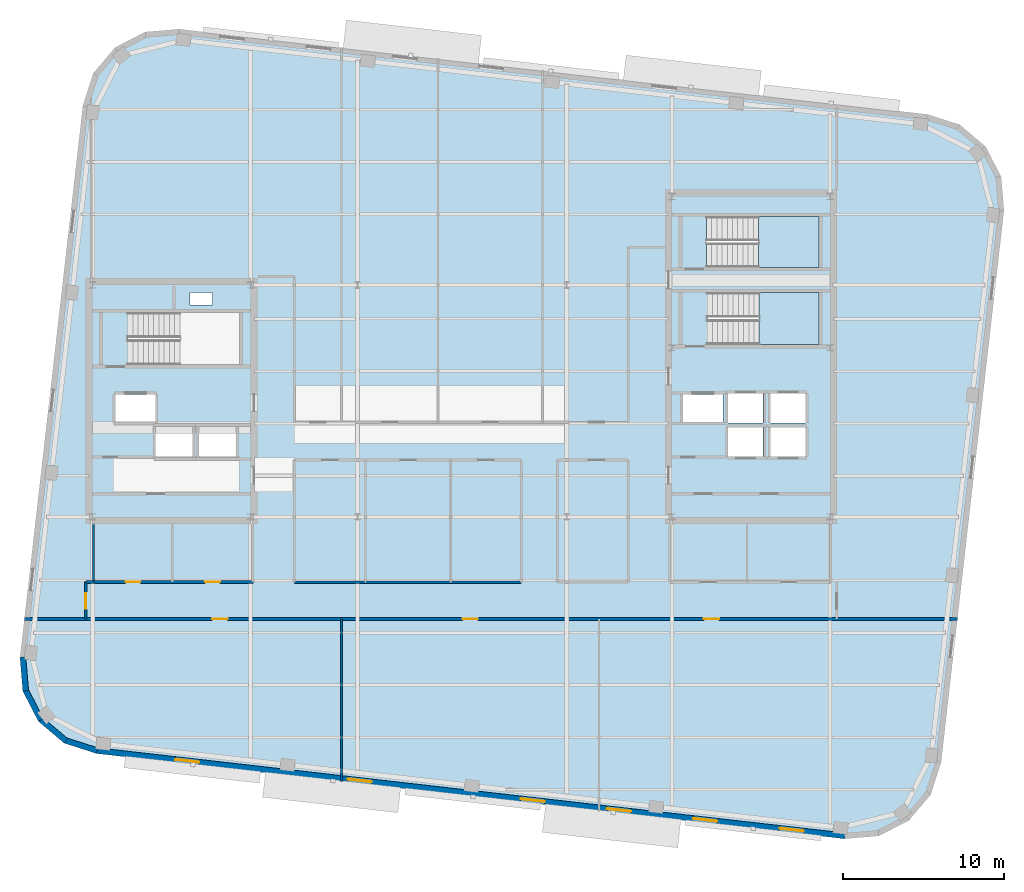
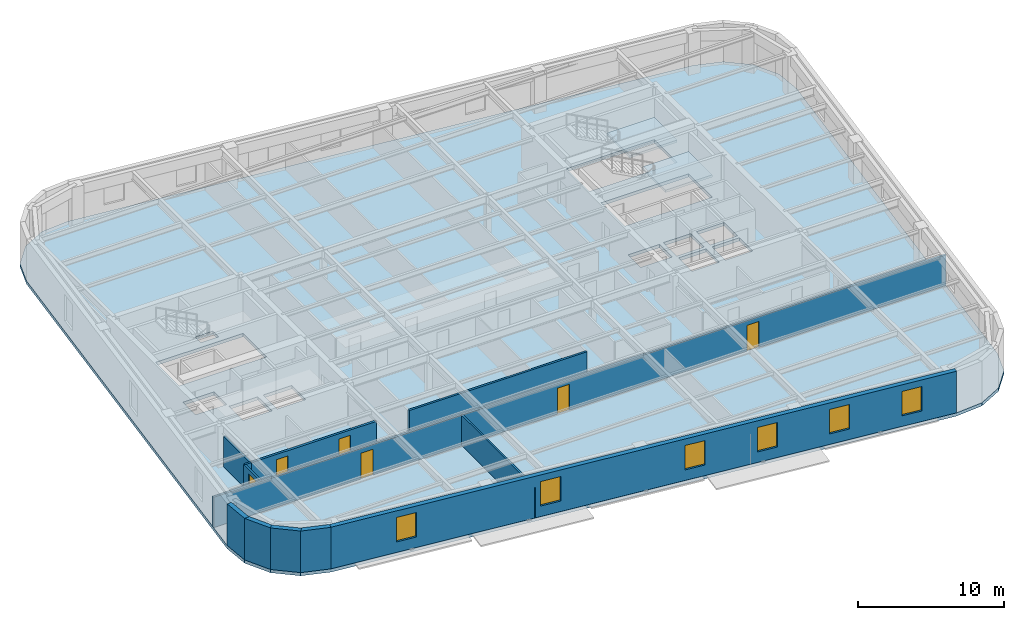
# One storey, part 5 of 13: 12 walls, 6 doors, 6 windows, 3 slabs, 12 openings, 2 elements without a shape of their own.
"""IFC4 building model written with IfcOpenShell, lengths in metres."""

from ifc_helpers import new_model, si_unit, direction, frame, frame_2d, origin, place, context, subcontext, project, spatial, polyline, rectangle, outline, extrude, material, layer, layer_set, type_object, element, fill, aggregate, save


model = new_model("IFC4")

# Units and contexts
model_context = context("Model", 3, precision=1e-05, world=origin(), true_north=direction((0.0, 1.0)))
body_context = subcontext(model_context, "Body", "Model", "MODEL_VIEW")
ifc_project = project(units=[si_unit("LENGTHUNIT", "METRE"), si_unit("AREAUNIT", "SQUARE_METRE"), si_unit("VOLUMEUNIT", "CUBIC_METRE"), si_unit("PLANEANGLEUNIT", "RADIAN"), si_unit("MASSUNIT", "GRAM", prefix="KILO")], contexts=[model_context])

# Site, building, storey
site_placement = place(None, origin())
site = spatial("IfcSite", under=ifc_project, at=site_placement, CompositionType="ELEMENT")
building_placement = place(site_placement, origin())
building = spatial("IfcBuilding", under=site, at=building_placement, Name="Kolvaren Arena Tower", CompositionType="ELEMENT")
storey_placement = place(building_placement, frame((0.0, 0.0, 243.449951171875)))
storey = spatial("IfcBuildingStorey", under=building, at=storey_placement, Name="L59", CompositionType="ELEMENT", Elevation=243.449951171875)

# Stair, slab
ifc_material_1 = material(Name="Concrete 45 MPa", Category="concrete")
stair_type_1 = type_object("IfcStairType", Name="STAIR-CORE-165", PredefinedType="HALF_TURN_STAIR", material=ifc_material_1)
stair_1_placement = place(storey_placement, origin())
stair_1 = element("IfcStair", 1, at=stair_1_placement, inside=storey, type_object=stair_type_1, Name="L59 ST-E1", PredefinedType="HALF_TURN_STAIR")
ifc_layer_1 = layer(ifc_material_1, 0.199951171875)
ifc_layer_set_1 = layer_set([ifc_layer_1], Name="Concrete 45 MPa")
slab_type_1 = type_object("IfcSlabType", Name="SLAB-LAND", PredefinedType="LANDING", material=ifc_layer_set_1)
slab_1_placement = place(storey_placement, frame((0.0, 0.0, 1.675048828125)))
slab_1 = element("IfcSlab", 2, at=slab_1_placement, type_object=slab_type_1, Name="ST-E1 landing 1", PredefinedType="LANDING", context=body_context, shape_type="SweptSolid", body=[
    extrude(outline(polyline([(55.9599609375, 30.14990234375), (59.659912109375, 30.14990234375), (59.659912109375, 33.3798828125), (55.9599609375, 33.3798828125), (55.9599609375, 30.14990234375)])), origin(), (0.0, 0.0, 1.0), 0.199951171875),
])
aggregate(stair_1, [slab_1])

stair_type_2 = type_object("IfcStairType", Name="STAIR-CORE-150", PredefinedType="HALF_TURN_STAIR", material=ifc_material_1)
stair_2_placement = place(storey_placement, origin())
stair_2 = element("IfcStair", 3, at=stair_2_placement, inside=storey, type_object=stair_type_2, Name="L59 ST-E2", PredefinedType="HALF_TURN_STAIR")
slab_2_placement = place(storey_placement, frame((0.0, 0.0, 1.675048828125)))
slab_2 = element("IfcSlab", 4, at=slab_2_placement, type_object=slab_type_1, Name="ST-E2 landing 1", PredefinedType="LANDING", context=body_context, shape_type="SweptSolid", body=[
    extrude(outline(polyline([(55.919921875, 34.949951171875), (59.659912109375, 34.949951171875), (59.659912109375, 38.10009765625), (55.919921875, 38.10009765625), (55.919921875, 34.949951171875)])), origin(), (0.0, 0.0, 1.0), 0.199951171875),
])
aggregate(stair_2, [slab_2])

# Slab
ifc_layer_2 = layer(ifc_material_1, 0.27001953125)
ifc_layer_set_2 = layer_set([ifc_layer_2], Name="Concrete 45 MPa")
slab_type_2 = type_object("IfcSlabType", Name="SLAB-OFF2", PredefinedType="FLOOR", material=ifc_layer_set_2)
slab_3_placement = place(storey_placement, frame((0.0, 0.0, -0.27001953125)))
element("IfcSlab", 5, at=slab_3_placement, inside=storey, type_object=slab_type_2, Name="L59 Primary Structural Slab", PredefinedType="FLOOR", context=body_context, shape_type="SweptSolid", body=[
    extrude(outline(polyline([(61.285400390625, -0.553466796875), (63.38525390625, -0.37890625), (65.25830078125, 0.585693359375), (66.619873046875, 2.194091796875), (67.26220703125, 4.20068359375), (71.16748046875, 38.47900390625), (70.9931640625, 40.57861328125), (70.0283203125, 42.45166015625), (68.42041015625, 43.81298828125), (66.41357421875, 44.455322265625), (19.91455078125, 49.75341796875), (17.814697265625, 49.578857421875), (15.941650390625, 48.6142578125), (14.580078125, 47.006103515625), (13.93798828125, 44.99951171875), (10.032470703125, 10.72119140625), (10.206787109375, 8.621337890625), (11.171630859375, 6.748291015625), (12.77978515625, 5.386962890625), (14.786376953125, 4.74462890625), (61.285400390625, -0.553466796875)]), holes=[polyline([(20.739990234375, 23.135009765625), (18.4599609375, 23.135009765625), (18.4599609375, 25.06494140625), (20.739990234375, 25.06494140625), (20.739990234375, 23.135009765625)]), polyline([(21.159912109375, 23.135009765625), (21.159912109375, 25.06494140625), (23.43994140625, 25.06494140625), (23.43994140625, 23.135009765625), (21.159912109375, 23.135009765625)]), polyline([(56.2099609375, 23.18505859375), (54.030029296875, 23.18505859375), (54.030029296875, 25.014892578125), (56.2099609375, 25.014892578125), (56.2099609375, 23.18505859375)]), polyline([(56.669921875, 23.18505859375), (56.669921875, 25.014892578125), (58.85009765625, 25.014892578125), (58.85009765625, 23.18505859375), (56.669921875, 23.18505859375)]), polyline([(54.030029296875, 25.284912109375), (54.030029296875, 27.114990234375), (56.2099609375, 27.114990234375), (56.2099609375, 25.284912109375), (54.030029296875, 25.284912109375)]), polyline([(58.85009765625, 25.284912109375), (56.669921875, 25.284912109375), (56.669921875, 27.114990234375), (58.85009765625, 27.114990234375), (58.85009765625, 25.284912109375)]), polyline([(15.9599609375, 25.3349609375), (15.9599609375, 27.06494140625), (18.43994140625, 27.06494140625), (18.43994140625, 25.3349609375), (15.9599609375, 25.3349609375)]), polyline([(53.699951171875, 25.3349609375), (51.219970703125, 25.3349609375), (51.219970703125, 27.06494140625), (53.699951171875, 27.06494140625), (53.699951171875, 25.3349609375)]), polyline([(16.735107421875, 28.89990234375), (16.735107421875, 32.1298828125), (23.659912109375, 32.1298828125), (23.659912109375, 28.89990234375), (16.735107421875, 28.89990234375)]), polyline([(52.735107421875, 30.14990234375), (52.735107421875, 33.3798828125), (59.659912109375, 33.3798828125), (59.659912109375, 30.14990234375), (52.735107421875, 30.14990234375)]), polyline([(20.60009765625, 32.6201171875), (20.60009765625, 33.39990234375), (22.0, 33.39990234375), (22.0, 32.6201171875), (20.60009765625, 32.6201171875)]), polyline([(52.695068359375, 34.949951171875), (52.695068359375, 38.10009765625), (59.659912109375, 38.10009765625), (59.659912109375, 34.949951171875), (52.695068359375, 34.949951171875)])]), origin(), (0.0, 0.0, 1.0), 0.27001953125),
])

# Wall, openings, doors
ifc_material_2 = material(Name="Gypsum board acoustic assembly", Category="gypsum")
ifc_layer_3 = layer(ifc_material_2, 0.159912109375)
ifc_layer_set_3 = layer_set([ifc_layer_3], Name="Gypsum board acoustic assembly")
wall_type_1 = type_object("IfcWallType", Name="CORR-160", PredefinedType="PARTITIONING", material=ifc_layer_set_3)
wall_1_placement = place(storey_placement, frame((10.303466796875, 13.10009765625, 0.0), z_axis=(0.0, 0.0, 1.0), x_axis=(1.0, 0.0, 0.0)))
wall_1 = element("IfcWall", 6, at=wall_1_placement, inside=storey, type_object=wall_type_1, Name="Interior Partition Wall (L59)", PredefinedType="PARTITIONING", context=body_context, shape_type="SweptSolid", body=[
    extrude(rectangle(XDim=57.97265625, YDim=0.159912109375, at=frame_2d((28.986328125, 0.0))), origin(), (0.0, 0.0, 1.0), 2.5400390625),
])
opening_1_placement = place(wall_1_placement, frame((11.671630859375, 0.0, 0.0)))
opening_1 = element("IfcOpeningElement", 7, at=opening_1_placement, cuts=wall_1, Name="Opening D05", PredefinedType="OPENING", context=body_context, shape_type="SweptSolid", body=[
    extrude(rectangle(XDim=0.949951171875, YDim=2.14990234375, at=frame_2d((0.47509765625, 1.074951171875))), frame((0.0, 0.08984375, 0.0), z_axis=(0.0, -1.0, 0.0), x_axis=(1.0, 0.0, 0.0)), (0.0, 0.0, 1.0), 0.179931640625),
])
opening_2_placement = place(wall_1_placement, frame((27.2216796875, 0.0, 0.0)))
opening_2 = element("IfcOpeningElement", 8, at=opening_2_placement, cuts=wall_1, Name="Opening D05", PredefinedType="OPENING", context=body_context, shape_type="SweptSolid", body=[
    extrude(rectangle(XDim=0.949951171875, YDim=2.14990234375, at=frame_2d((0.47509765625, 1.074951171875))), frame((0.0, 0.08984375, 0.0), z_axis=(0.0, -1.0, 0.0), x_axis=(1.0, 0.0, 0.0)), (0.0, 0.0, 1.0), 0.179931640625),
])
opening_3_placement = place(wall_1_placement, frame((42.2216796875, 0.0, 0.0)))
opening_3 = element("IfcOpeningElement", 9, at=opening_3_placement, cuts=wall_1, Name="Opening D05", PredefinedType="OPENING", context=body_context, shape_type="SweptSolid", body=[
    extrude(rectangle(XDim=0.949951171875, YDim=2.14990234375, at=frame_2d((0.47509765625, 1.074951171875))), frame((0.0, 0.08984375, 0.0), z_axis=(0.0, -1.0, 0.0), x_axis=(1.0, 0.0, 0.0)), (0.0, 0.0, 1.0), 0.179931640625),
])
ifc_material_3 = material(Name="Solid-core oak acoustic office door", Category="wood")
door_type_1 = type_object("IfcDoorType", Name="DOOR-OF-095", OperationType="NOTDEFINED", PredefinedType="DOOR", material=ifc_material_3)
door_1_placement = place(opening_1_placement, origin())
door_1 = element("IfcDoor", 10, at=door_1_placement, inside=storey, type_object=door_type_1, Name="Collaborative Work Studio Door (L59)", OperationType="SINGLE_SWING_LEFT", OverallHeight=2.14990234375, OverallWidth=0.949951171875, PredefinedType="DOOR", context=body_context, shape_type="SweptSolid", body=[
    extrude(rectangle(XDim=0.949951171875, YDim=2.14990234375, at=frame_2d((0.47509765625, 1.074951171875))), frame((0.0, 0.02490234375, 0.0), z_axis=(0.0, -1.0, 0.0), x_axis=(1.0, 0.0, 0.0)), (0.0, 0.0, 1.0), 0.050048828125),
])
fill(opening_1, door_1)
door_2_placement = place(opening_2_placement, origin())
door_2 = element("IfcDoor", 11, at=door_2_placement, inside=storey, type_object=door_type_1, Name="Collaborative Work Studio Door (L59)", OperationType="SINGLE_SWING_RIGHT", OverallHeight=2.14990234375, OverallWidth=0.949951171875, PredefinedType="DOOR", context=body_context, shape_type="SweptSolid", body=[
    extrude(rectangle(XDim=0.949951171875, YDim=2.14990234375, at=frame_2d((0.47509765625, 1.074951171875))), frame((0.0, 0.02490234375, 0.0), z_axis=(0.0, -1.0, 0.0), x_axis=(1.0, 0.0, 0.0)), (0.0, 0.0, 1.0), 0.050048828125),
])
fill(opening_2, door_2)
door_3_placement = place(opening_3_placement, origin())
door_3 = element("IfcDoor", 12, at=door_3_placement, inside=storey, type_object=door_type_1, Name="Copy and Print Room Door (L59)", OperationType="SINGLE_SWING_LEFT", OverallHeight=2.14990234375, OverallWidth=0.949951171875, PredefinedType="DOOR", context=body_context, shape_type="SweptSolid", body=[
    extrude(rectangle(XDim=0.949951171875, YDim=2.14990234375, at=frame_2d((0.47509765625, 1.074951171875))), frame((0.0, 0.02490234375, 0.0), z_axis=(0.0, -1.0, 0.0), x_axis=(1.0, 0.0, 0.0)), (0.0, 0.0, 1.0), 0.050048828125),
])
fill(opening_3, door_3)

# Wall
wall_2_placement = place(storey_placement, frame((27.10009765625, 15.3798828125, 0.0), z_axis=(0.0, 0.0, 1.0), x_axis=(1.0, 0.0, 0.0)))
element("IfcWall", 13, at=wall_2_placement, inside=storey, type_object=wall_type_1, Name="Interior Partition Wall (L59)", PredefinedType="PARTITIONING", context=body_context, shape_type="SweptSolid", body=[
    extrude(rectangle(XDim=14.059814453125, YDim=0.159912109375, at=frame_2d((7.02978515625, 0.0))), origin(), (0.0, 0.0, 1.0), 2.5400390625),
])

# Wall, opening, door
wall_3_placement = place(storey_placement, frame((14.1201171875, 13.10009765625, 0.0), z_axis=(0.0, 0.0, 1.0), x_axis=(0.0, 1.0, 0.0)))
wall_3 = element("IfcWall", 14, at=wall_3_placement, inside=storey, type_object=wall_type_1, Name="Interior Partition Wall (L59)", PredefinedType="PARTITIONING", context=body_context, shape_type="SweptSolid", body=[
    extrude(rectangle(XDim=2.2998046875, YDim=0.159912109375, at=frame_2d((1.14990234375, 0.0))), origin(), (0.0, 0.0, 1.0), 2.5400390625),
])
opening_4_placement = place(wall_3_placement, frame((0.64990234375, 0.0, 0.0)))
opening_4 = element("IfcOpeningElement", 15, at=opening_4_placement, cuts=wall_3, Name="Opening D05", PredefinedType="OPENING", context=body_context, shape_type="SweptSolid", body=[
    extrude(rectangle(XDim=0.949951171875, YDim=2.14990234375, at=frame_2d((0.47509765625, 1.074951171875))), frame((0.0, 0.08984375, 0.0), z_axis=(0.0, -1.0, 0.0), x_axis=(1.0, 0.0, 0.0)), (0.0, 0.0, 1.0), 0.179931640625),
])
door_4_placement = place(opening_4_placement, origin())
door_4 = element("IfcDoor", 16, at=door_4_placement, inside=storey, type_object=door_type_1, Name="West Wing Office Door (L59)", OperationType="SINGLE_SWING_LEFT", OverallHeight=2.14990234375, OverallWidth=0.949951171875, PredefinedType="DOOR", context=body_context, shape_type="SweptSolid", body=[
    extrude(rectangle(XDim=0.949951171875, YDim=2.14990234375, at=frame_2d((0.47509765625, 1.074951171875))), frame((0.0, 0.02490234375, 0.0), z_axis=(0.0, -1.0, 0.0), x_axis=(1.0, 0.0, 0.0)), (0.0, 0.0, 1.0), 0.050048828125),
])
fill(opening_4, door_4)

# Walls
wall_4_placement = place(storey_placement, frame((14.1201171875, 15.39990234375, 0.0), z_axis=(0.0, 0.0, 1.0), x_axis=(1.0, 0.0, 0.0)))
element("IfcWall", 17, at=wall_4_placement, inside=storey, type_object=wall_type_1, Name="Interior Partition Wall (L59)", PredefinedType="PARTITIONING", context=body_context, shape_type="SweptSolid", body=[
    extrude(rectangle(XDim=0.5, YDim=0.159912109375, at=frame_2d((0.25, 0.0))), origin(), (0.0, 0.0, 1.0), 2.5400390625),
])
ifc_material_4 = material(Name="Precast concrete C50/60", Category="concrete")
ifc_layer_4 = layer(ifc_material_4, 0.360107421875)
ifc_layer_set_4 = layer_set([ifc_layer_4], Name="Precast concrete C50/60")
wall_type_2 = type_object("IfcWallType", Name="EXT-PIER2", PredefinedType="SOLIDWALL", material=ifc_layer_set_4)
wall_5_placement = place(storey_placement, frame((10.38623046875, 8.63623046875, 0.0), z_axis=(0.0, 0.0, 1.0), x_axis=(-0.082729038891, 0.996572077737, 0.0)))
element("IfcWall", 18, at=wall_5_placement, inside=storey, type_object=wall_type_2, Name="Exterior Precast Masonry-Frame Wall (L59)", PredefinedType="SOLIDWALL", context=body_context, shape_type="SweptSolid", body=[
    extrude(rectangle(XDim=2.107177734375, YDim=0.360107421875, at=frame_2d((1.0537109375, 0.0))), origin(), (0.0, 0.0, 1.0), 3.47998046875),
])
for number, where, z_axis, x_axis, name in (
    (19, (11.33154296875, 6.830810546875, 0.0), (0.0, 0.0, 1.0), (-0.457934390142, 0.888985992199, 0.0), "Exterior Precast Masonry-Frame Wall (L59)"),
    (20, (12.89599609375, 5.5244140625, 0.0), (0.0, 0.0, 1.0), (-0.763250018691, 0.646103249464, 0.0), "Exterior Precast Masonry-Frame Wall (L59)"),
    (21, (14.84130859375, 4.916015625, 0.0), (0.0, 0.0, 1.0), (-0.952393196904, 0.304872429864, 0.0), "Exterior Precast Masonry-Frame Wall (L59)"),
):
    element("IfcWall", number, at=place(storey_placement, frame(where, z_axis=z_axis, x_axis=x_axis)), inside=storey, type_object=wall_type_2, Name=name, PredefinedType="SOLIDWALL", context=body_context, shape_type="SweptSolid", body=[
        extrude(rectangle(XDim=2.10693359375, YDim=0.360107421875, at=frame_2d((1.053466796875, 0.0))), origin(), (0.0, 0.0, 1.0), 3.47998046875),
    ])

# Wall, openings, windows
wall_6_placement = place(storey_placement, frame((61.305908203125, -0.37451171875, 0.0), z_axis=(0.0, 0.0, 1.0), x_axis=(-0.993571958919, 0.113202307616, 0.0)))
wall_6 = element("IfcWall", 22, at=wall_6_placement, inside=storey, type_object=wall_type_2, Name="Exterior Precast Masonry-Frame Wall (L59)", PredefinedType="SOLIDWALL", context=body_context, shape_type="SweptSolid", body=[
    extrude(rectangle(XDim=46.7998046875, YDim=0.360107421875, at=frame_2d((23.39990234375, 0.0))), origin(), (0.0, 0.0, 1.0), 3.47998046875),
])
opening_5_placement = place(wall_6_placement, frame((2.60009765625, 0.0, 0.8798828125)))
opening_5 = element("IfcOpeningElement", 23, at=opening_5_placement, cuts=wall_6, Name="Opening W03", PredefinedType="OPENING", context=body_context, shape_type="SweptSolid", body=[
    extrude(rectangle(XDim=1.5, YDim=2.050048828125, at=frame_2d((0.75, 1.02490234375))), frame((0.0, 0.18994140625, 0.0), z_axis=(0.0, -1.0, 0.0), x_axis=(1.0, 0.0, 0.0)), (0.0, 0.0, 1.0), 0.380126953125),
])
opening_6_placement = place(wall_6_placement, frame((8.0, 0.0, 0.8798828125)))
opening_6 = element("IfcOpeningElement", 24, at=opening_6_placement, cuts=wall_6, Name="Opening W03", PredefinedType="OPENING", context=body_context, shape_type="SweptSolid", body=[
    extrude(rectangle(XDim=1.5, YDim=2.050048828125, at=frame_2d((0.75, 1.02490234375))), frame((0.0, 0.18994140625, 0.0), z_axis=(0.0, -1.0, 0.0), x_axis=(1.0, 0.0, 0.0)), (0.0, 0.0, 1.0), 0.380126953125),
])
opening_7_placement = place(wall_6_placement, frame((13.39990234375, 0.0, 0.8798828125)))
opening_7 = element("IfcOpeningElement", 25, at=opening_7_placement, cuts=wall_6, Name="Opening W03", PredefinedType="OPENING", context=body_context, shape_type="SweptSolid", body=[
    extrude(rectangle(XDim=1.5, YDim=2.050048828125, at=frame_2d((0.75, 1.02490234375))), frame((0.0, 0.18994140625, 0.0), z_axis=(0.0, -1.0, 0.0), x_axis=(1.0, 0.0, 0.0)), (0.0, 0.0, 1.0), 0.380126953125),
])
opening_8_placement = place(wall_6_placement, frame((18.800048828125, 0.0, 0.8798828125)))
opening_8 = element("IfcOpeningElement", 26, at=opening_8_placement, cuts=wall_6, Name="Opening W03", PredefinedType="OPENING", context=body_context, shape_type="SweptSolid", body=[
    extrude(rectangle(XDim=1.5, YDim=2.050048828125, at=frame_2d((0.75, 1.02490234375))), frame((0.0, 0.18994140625, 0.0), z_axis=(0.0, -1.0, 0.0), x_axis=(1.0, 0.0, 0.0)), (0.0, 0.0, 1.0), 0.380126953125),
])
opening_9_placement = place(wall_6_placement, frame((29.60009765625, 0.0, 0.8798828125)))
opening_9 = element("IfcOpeningElement", 27, at=opening_9_placement, cuts=wall_6, Name="Opening W03", PredefinedType="OPENING", context=body_context, shape_type="SweptSolid", body=[
    extrude(rectangle(XDim=1.5, YDim=2.050048828125, at=frame_2d((0.75, 1.02490234375))), frame((0.0, 0.18994140625, 0.0), z_axis=(0.0, -1.0, 0.0), x_axis=(1.0, 0.0, 0.0)), (0.0, 0.0, 1.0), 0.380126953125),
])
opening_10_placement = place(wall_6_placement, frame((40.39990234375, 0.0, 0.8798828125)))
opening_10 = element("IfcOpeningElement", 28, at=opening_10_placement, cuts=wall_6, Name="Opening W03", PredefinedType="OPENING", context=body_context, shape_type="SweptSolid", body=[
    extrude(rectangle(XDim=1.5, YDim=2.050048828125, at=frame_2d((0.75, 1.02490234375))), frame((0.0, 0.18994140625, 0.0), z_axis=(0.0, -1.0, 0.0), x_axis=(1.0, 0.0, 0.0)), (0.0, 0.0, 1.0), 0.380126953125),
])
ifc_material_5 = material(Name="Triple-glazed low-E aluminium window", Category="aluminium")
window_type = type_object("IfcWindowType", Name="WIN-OFF-C", PartitioningType="SINGLE_PANEL", PredefinedType="WINDOW", material=ifc_material_5)
window_1_placement = place(opening_5_placement, origin())
window_1 = element("IfcWindow", 29, at=window_1_placement, inside=storey, type_object=window_type, Name="Punched Precast-Pier Window (L59)", OverallHeight=2.050048828125, OverallWidth=1.5, PartitioningType="SINGLE_PANEL", PredefinedType="WINDOW", context=body_context, shape_type="SweptSolid", body=[
    extrude(rectangle(XDim=1.5, YDim=2.050048828125, at=frame_2d((0.75, 1.02490234375))), frame((0.0, 0.030029296875, 0.0), z_axis=(0.0, -1.0, 0.0), x_axis=(1.0, 0.0, 0.0)), (0.0, 0.0, 1.0), 0.06005859375),
])
fill(opening_5, window_1)
window_2_placement = place(opening_6_placement, origin())
window_2 = element("IfcWindow", 30, at=window_2_placement, inside=storey, type_object=window_type, Name="Punched Precast-Pier Window (L59)", OverallHeight=2.050048828125, OverallWidth=1.5, PartitioningType="SINGLE_PANEL", PredefinedType="WINDOW", context=body_context, shape_type="SweptSolid", body=[
    extrude(rectangle(XDim=1.5, YDim=2.050048828125, at=frame_2d((0.75, 1.02490234375))), frame((0.0, 0.030029296875, 0.0), z_axis=(0.0, -1.0, 0.0), x_axis=(1.0, 0.0, 0.0)), (0.0, 0.0, 1.0), 0.06005859375),
])
fill(opening_6, window_2)
window_3_placement = place(opening_7_placement, origin())
window_3 = element("IfcWindow", 31, at=window_3_placement, inside=storey, type_object=window_type, Name="Punched Precast-Pier Window (L59)", OverallHeight=2.050048828125, OverallWidth=1.5, PartitioningType="SINGLE_PANEL", PredefinedType="WINDOW", context=body_context, shape_type="SweptSolid", body=[
    extrude(rectangle(XDim=1.5, YDim=2.050048828125, at=frame_2d((0.75, 1.02490234375))), frame((0.0, 0.030029296875, 0.0), z_axis=(0.0, -1.0, 0.0), x_axis=(1.0, 0.0, 0.0)), (0.0, 0.0, 1.0), 0.06005859375),
])
fill(opening_7, window_3)
window_4_placement = place(opening_8_placement, origin())
window_4 = element("IfcWindow", 32, at=window_4_placement, inside=storey, type_object=window_type, Name="Punched Precast-Pier Window (L59)", OverallHeight=2.050048828125, OverallWidth=1.5, PartitioningType="SINGLE_PANEL", PredefinedType="WINDOW", context=body_context, shape_type="SweptSolid", body=[
    extrude(rectangle(XDim=1.5, YDim=2.050048828125, at=frame_2d((0.75, 1.02490234375))), frame((0.0, 0.030029296875, 0.0), z_axis=(0.0, -1.0, 0.0), x_axis=(1.0, 0.0, 0.0)), (0.0, 0.0, 1.0), 0.06005859375),
])
fill(opening_8, window_4)
window_5_placement = place(opening_9_placement, origin())
window_5 = element("IfcWindow", 33, at=window_5_placement, inside=storey, type_object=window_type, Name="Punched Precast-Pier Window (L59)", OverallHeight=2.050048828125, OverallWidth=1.5, PartitioningType="SINGLE_PANEL", PredefinedType="WINDOW", context=body_context, shape_type="SweptSolid", body=[
    extrude(rectangle(XDim=1.5, YDim=2.050048828125, at=frame_2d((0.75, 1.02490234375))), frame((0.0, 0.030029296875, 0.0), z_axis=(0.0, -1.0, 0.0), x_axis=(1.0, 0.0, 0.0)), (0.0, 0.0, 1.0), 0.06005859375),
])
fill(opening_9, window_5)
window_6_placement = place(opening_10_placement, origin())
window_6 = element("IfcWindow", 34, at=window_6_placement, inside=storey, type_object=window_type, Name="Punched Precast-Pier Window (L59)", OverallHeight=2.050048828125, OverallWidth=1.5, PartitioningType="SINGLE_PANEL", PredefinedType="WINDOW", context=body_context, shape_type="SweptSolid", body=[
    extrude(rectangle(XDim=1.5, YDim=2.050048828125, at=frame_2d((0.75, 1.02490234375))), frame((0.0, 0.030029296875, 0.0), z_axis=(0.0, -1.0, 0.0), x_axis=(1.0, 0.0, 0.0)), (0.0, 0.0, 1.0), 0.06005859375),
])
fill(opening_10, window_6)

# Wall
ifc_material_6 = material(Name="Gypsum board partition assembly", Category="gypsum")
ifc_layer_5 = layer(ifc_material_6, 0.135009765625)
ifc_layer_set_5 = layer_set([ifc_layer_5], Name="Gypsum board partition assembly")
wall_type_3 = type_object("IfcWallType", Name="PART-135", PredefinedType="PARTITIONING", material=ifc_layer_set_5)
wall_7_placement = place(storey_placement, frame((30.0, 3.01123046875, 0.0), z_axis=(0.0, 0.0, 1.0), x_axis=(0.0, 1.0, 0.0)))
element("IfcWall", 35, at=wall_7_placement, inside=storey, type_object=wall_type_3, Name="Interior Partition Wall (L59)", PredefinedType="PARTITIONING", context=body_context, shape_type="SweptSolid", body=[
    extrude(rectangle(XDim=10.0888671875, YDim=0.135009765625, at=frame_2d((5.04443359375, 0.0))), origin(), (0.0, 0.0, 1.0), 2.5400390625),
])

# Wall, openings, doors
ifc_material_7 = material(Name="Moisture-resistant gypsum assembly", Category="gypsum")
ifc_layer_6 = layer(ifc_material_7, 0.14990234375)
ifc_layer_set_6 = layer_set([ifc_layer_6], Name="Moisture-resistant gypsum assembly")
wall_type_4 = type_object("IfcWallType", Name="WETW-150", PredefinedType="PARTITIONING", material=ifc_layer_set_6)
wall_8_placement = place(storey_placement, frame((14.60009765625, 15.39990234375, 0.0), z_axis=(0.0, 0.0, 1.0), x_axis=(1.0, 0.0, 0.0)))
wall_8 = element("IfcWall", 36, at=wall_8_placement, inside=storey, type_object=wall_type_4, Name="Interior Partition Wall (L59)", PredefinedType="PARTITIONING", context=body_context, shape_type="SweptSolid", body=[
    extrude(rectangle(XDim=9.89990234375, YDim=0.179931640625, at=frame_2d((4.949951171875, 0.0))), origin(), (0.0, 0.0, 1.0), 2.5400390625),
])
opening_11_placement = place(wall_8_placement, frame((1.989990234375, 0.0, 0.0)))
opening_11 = element("IfcOpeningElement", 37, at=opening_11_placement, cuts=wall_8, Name="Opening D07", PredefinedType="OPENING", context=body_context, shape_type="SweptSolid", body=[
    extrude(rectangle(XDim=0.919921875, YDim=2.10009765625, at=frame_2d((0.4599609375, 1.050048828125))), frame((0.0, 0.099853515625, 0.0), z_axis=(0.0, -1.0, 0.0), x_axis=(1.0, 0.0, 0.0)), (0.0, 0.0, 1.0), 0.199951171875),
])
opening_12_placement = place(wall_8_placement, frame((6.93994140625, 0.0, 0.0)))
opening_12 = element("IfcOpeningElement", 38, at=opening_12_placement, cuts=wall_8, Name="Opening D07", PredefinedType="OPENING", context=body_context, shape_type="SweptSolid", body=[
    extrude(rectangle(XDim=0.919921875, YDim=2.10009765625, at=frame_2d((0.4599609375, 1.050048828125))), frame((0.0, 0.099853515625, 0.0), z_axis=(0.0, -1.0, 0.0), x_axis=(1.0, 0.0, 0.0)), (0.0, 0.0, 1.0), 0.199951171875),
])
ifc_material_8 = material(Name="Laminate universal washroom door", Category="wood")
door_type_2 = type_object("IfcDoorType", Name="DOOR-WC-092", OperationType="NOTDEFINED", PredefinedType="DOOR", material=ifc_material_8)
door_5_placement = place(opening_11_placement, origin())
door_5 = element("IfcDoor", 39, at=door_5_placement, inside=storey, type_object=door_type_2, Name="Universal Barrier-Free Washroom Door (L59)", OperationType="SINGLE_SWING_LEFT", OverallHeight=2.10009765625, OverallWidth=0.919921875, PredefinedType="DOOR", context=body_context, shape_type="SweptSolid", body=[
    extrude(rectangle(XDim=0.919921875, YDim=2.10009765625, at=frame_2d((0.4599609375, 1.050048828125))), frame((0.0, 0.02490234375, 0.0), z_axis=(0.0, -1.0, 0.0), x_axis=(1.0, 0.0, 0.0)), (0.0, 0.0, 1.0), 0.050048828125),
])
fill(opening_11, door_5)
door_6_placement = place(opening_12_placement, origin())
door_6 = element("IfcDoor", 40, at=door_6_placement, inside=storey, type_object=door_type_2, Name="Gender-Neutral Washroom Door (L59)", OperationType="SINGLE_SWING_RIGHT", OverallHeight=2.10009765625, OverallWidth=0.919921875, PredefinedType="DOOR", context=body_context, shape_type="SweptSolid", body=[
    extrude(rectangle(XDim=0.919921875, YDim=2.10009765625, at=frame_2d((0.4599609375, 1.050048828125))), frame((0.0, 0.02490234375, 0.0), z_axis=(0.0, -1.0, 0.0), x_axis=(1.0, 0.0, 0.0)), (0.0, 0.0, 1.0), 0.050048828125),
])
fill(opening_12, door_6)

# Wall
wall_9_placement = place(storey_placement, frame((14.60009765625, 15.39990234375, 0.0), z_axis=(0.0, 0.0, 1.0), x_axis=(0.0, 1.0, 0.0)))
element("IfcWall", 41, at=wall_9_placement, inside=storey, type_object=wall_type_4, Name="Interior Partition Wall (L59)", PredefinedType="PARTITIONING", context=body_context, shape_type="SweptSolid", body=[
    extrude(rectangle(XDim=3.580078125, YDim=0.14990234375, at=frame_2d((1.7900390625, 0.0))), origin(), (0.0, 0.0, 1.0), 2.5400390625),
])

save(model, "model.ifc")
